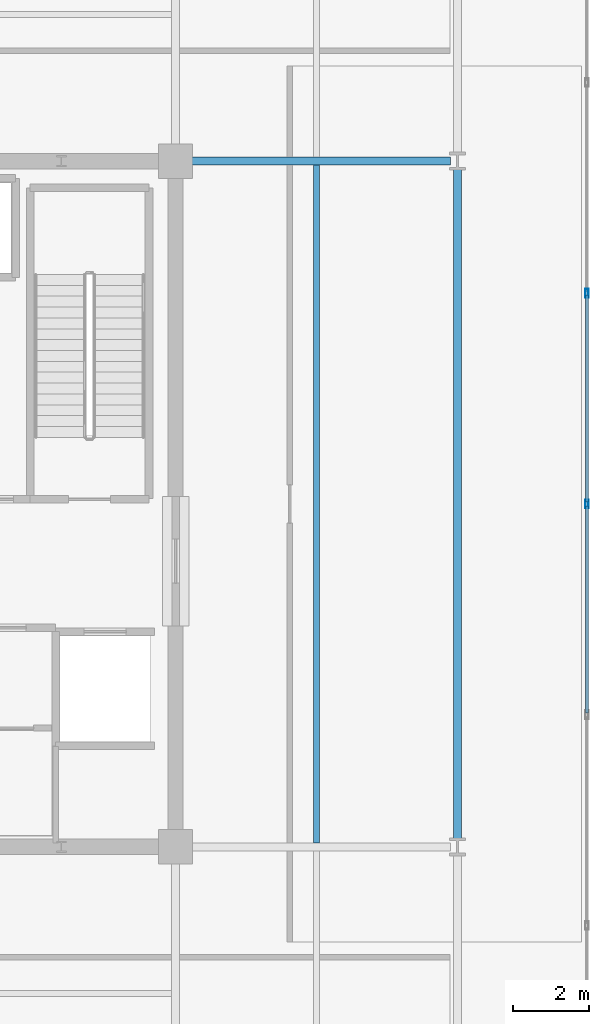
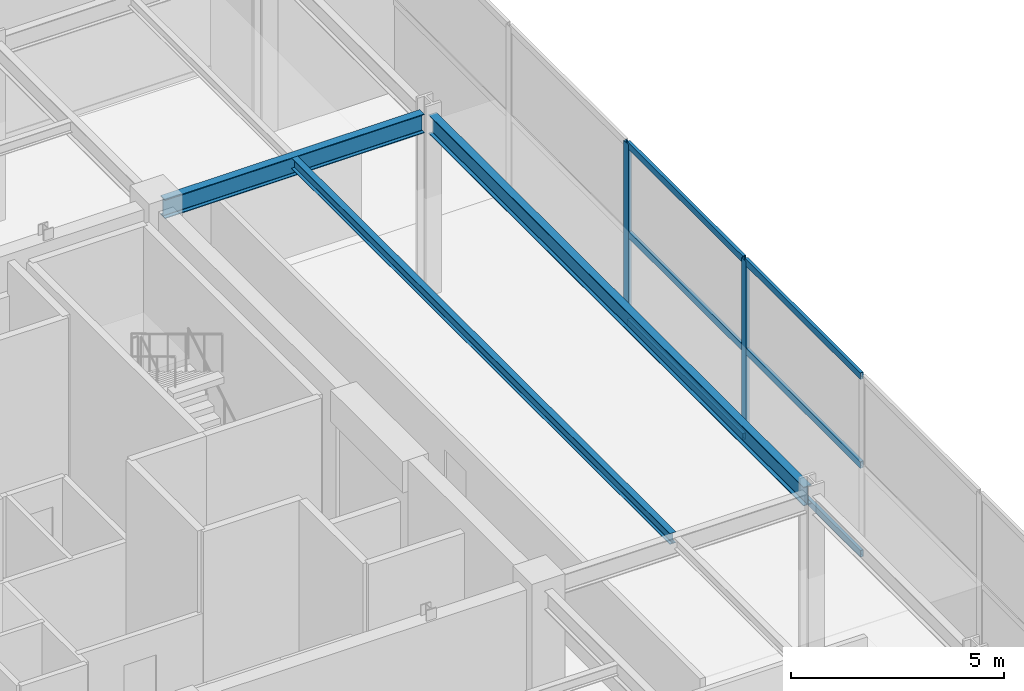
# One storey, part 11 of 24: 8 members, 3 beams, 1 element without a shape of its own.
"""IFC4 building model written with IfcOpenShell, lengths in metres."""

from ifc_helpers import new_model, si_unit, direction, frame, origin, origin_2d, place, context, subcontext, project, spatial, hollow_rectangle, i_section, extrude, material, material_profile, profile_set, type_object, element, aggregate, save


model = new_model("IFC4")

# Units and contexts
model_context = context("Model", 3, precision=1e-05, world=origin(), true_north=direction((0.0, 1.0)))
body_context = subcontext(model_context, "Body", "Model", "MODEL_VIEW")
ifc_project = project(units=[si_unit("LENGTHUNIT", "METRE"), si_unit("AREAUNIT", "SQUARE_METRE"), si_unit("VOLUMEUNIT", "CUBIC_METRE"), si_unit("PLANEANGLEUNIT", "RADIAN"), si_unit("MASSUNIT", "GRAM", prefix="KILO")], contexts=[model_context])

# Site, building, storey
site_placement = place(None, origin())
site = spatial("IfcSite", under=ifc_project, at=site_placement, CompositionType="ELEMENT")
building_placement = place(site_placement, origin())
building = spatial("IfcBuilding", under=site, at=building_placement, Name="Kovane Verandah Tower", CompositionType="ELEMENT")
storey_placement = place(building_placement, frame((0.0, 0.0, 348.800048828125)))
storey = spatial("IfcBuildingStorey", under=building, at=storey_placement, Name="L81", CompositionType="ELEMENT", Elevation=348.800048828125)

# Beams
ifc_material_1 = material(Name="Steel S355", Category="steel")
ifc_material_profile_1 = material_profile(ifc_material_1, i_section(OverallWidth=0.2119140625, OverallDepth=0.54443359375, WebThickness=0.0126953125, FlangeThickness=0.021240234375, FilletRadius=0.0126953125, at=origin_2d()), Name="UB533x210x122")
ifc_profile_set_1 = profile_set([ifc_material_profile_1], Name="Steel S355")
beam_type_1 = type_object("IfcBeamType", Name="BM-UB533x122", PredefinedType="BEAM", material=ifc_profile_set_1)
beam_1_placement = place(storey_placement, frame((58.39990234375, 18.679931640625, 4.927734375), z_axis=(0.0, 1.0, 0.0), x_axis=(-1.0, 0.0, 0.0)))
element("IfcBeam", 1, at=beam_1_placement, inside=storey, type_object=beam_type_1, Name="L81 Primary Tower Girder G-RE2", PredefinedType="BEAM", context=body_context, shape_type="SweptSolid", body=[
    extrude(i_section(OverallWidth=0.2119140625, OverallDepth=0.54443359375, WebThickness=0.0126953125, FlangeThickness=0.021240234375, FilletRadius=0.0126953125, at=origin_2d()), origin(), (0.0, 0.0, 1.0), 17.64013671875),
])
beam_2_placement = place(storey_placement, frame((51.179931640625, 36.5, 4.927734375), z_axis=(1.0, 0.0, 0.0), x_axis=(0.0, 1.0, 0.0)))
element("IfcBeam", 2, at=beam_2_placement, inside=storey, type_object=beam_type_1, Name="L81 Primary Tower Girder G-E2", PredefinedType="BEAM", context=body_context, shape_type="SweptSolid", body=[
    extrude(i_section(OverallWidth=0.2119140625, OverallDepth=0.54443359375, WebThickness=0.0126953125, FlangeThickness=0.021240234375, FilletRadius=0.0126953125, at=origin_2d()), origin(), (0.0, 0.0, 1.0), 7.0400390625),
])

# Curtain wall, members
ifc_material_2 = material(Name="Champagne Anodised Aluminium Frame with Low-E Clear Laminated Glass", Category="aluminium")
curtain_wall_type = type_object("IfcCurtainWallType", Name="CW-SYS-06-CROWN", PredefinedType="NOTDEFINED", material=ifc_material_2)
curtain_wall_placement = place(storey_placement, origin())
curtain_wall = element("IfcCurtainWall", 3, at=curtain_wall_placement, inside=storey, type_object=curtain_wall_type, Name="L81 E Unitised Curtain Wall", PredefinedType="NOTDEFINED")
ifc_material_3 = material(Name="Champagne Anodised Aluminium 6063-T6", Category="aluminium")
ifc_material_profile_2 = material_profile(ifc_material_3, hollow_rectangle(XDim=0.0849609375, YDim=0.22998046875, WallThickness=0.00390625, at=origin_2d()), Name="AL85x230x4")
ifc_profile_set_2 = profile_set([ifc_material_profile_2], Name="Champagne Anodised Aluminium 6063-T6")
member_type_1 = type_object("IfcMemberType", Name="CW-MUL-85x230", PredefinedType="MULLION", material=ifc_profile_set_2)
member_1_placement = place(storey_placement, frame((61.800048828125, 27.5, 0.02001953125), z_axis=(0.0, 0.0, 1.0), x_axis=(1.0, 0.0, 0.0)))
member_1 = element("IfcMember", 4, at=member_1_placement, type_object=member_type_1, Name="L81 E Unitised Curtain Wall Mullion 4", PredefinedType="MULLION", context=body_context, shape_type="SweptSolid", body=[
    extrude(hollow_rectangle(XDim=0.0849609375, YDim=0.22998046875, WallThickness=0.00390625, at=origin_2d()), origin(), (0.0, 0.0, 1.0), 5.159912109375),
])
member_2_placement = place(storey_placement, frame((61.800048828125, 33.033203125, 0.02001953125), z_axis=(0.0, 0.0, 1.0), x_axis=(1.0, 0.0, 0.0)))
member_2 = element("IfcMember", 5, at=member_2_placement, type_object=member_type_1, Name="L81 E Unitised Curtain Wall Mullion 5", PredefinedType="MULLION", context=body_context, shape_type="SweptSolid", body=[
    extrude(hollow_rectangle(XDim=0.0849609375, YDim=0.22998046875, WallThickness=0.00390625, at=origin_2d()), origin(), (0.0, 0.0, 1.0), 5.159912109375),
])
ifc_material_profile_3 = material_profile(ifc_material_3, hollow_rectangle(XDim=0.0849609375, YDim=0.18994140625, WallThickness=0.00390625, at=origin_2d()), Name="AL85x190x4")
ifc_profile_set_3 = profile_set([ifc_material_profile_3], Name="Champagne Anodised Aluminium 6063-T6")
member_type_2 = type_object("IfcMemberType", Name="CW-TRN-85x190", PredefinedType="USERDEFINED", material=ifc_profile_set_3)
member_3_placement = place(storey_placement, frame((61.800048828125, 22.0166015625, 0.050048828125), z_axis=(0.0, 1.0, 0.0), x_axis=(-1.0, 0.0, 0.0)))
member_3 = element("IfcMember", 6, at=member_3_placement, type_object=member_type_2, Name="L81 E Unitised Curtain Wall Transom TB Bay 3", ObjectType="TRANSOM", PredefinedType="USERDEFINED", context=body_context, shape_type="SweptSolid", body=[
    extrude(hollow_rectangle(XDim=0.0849609375, YDim=0.18994140625, WallThickness=0.00390625, at=origin_2d()), origin(), (0.0, 0.0, 1.0), 5.433349609375),
])
member_4_placement = place(storey_placement, frame((61.800048828125, 22.0166015625, 2.599853515625), z_axis=(0.0, 1.0, 0.0), x_axis=(-1.0, 0.0, 0.0)))
member_4 = element("IfcMember", 7, at=member_4_placement, type_object=member_type_2, Name="L81 E Unitised Curtain Wall Transom TM Bay 3", ObjectType="TRANSOM", PredefinedType="USERDEFINED", context=body_context, shape_type="SweptSolid", body=[
    extrude(hollow_rectangle(XDim=0.0849609375, YDim=0.18994140625, WallThickness=0.00390625, at=origin_2d()), origin(), (0.0, 0.0, 1.0), 5.433349609375),
])
member_5_placement = place(storey_placement, frame((61.800048828125, 22.0166015625, 5.14990234375), z_axis=(0.0, 1.0, 0.0), x_axis=(-1.0, 0.0, 0.0)))
member_5 = element("IfcMember", 8, at=member_5_placement, type_object=member_type_2, Name="L81 E Unitised Curtain Wall Transom TT Bay 3", ObjectType="TRANSOM", PredefinedType="USERDEFINED", context=body_context, shape_type="SweptSolid", body=[
    extrude(hollow_rectangle(XDim=0.0849609375, YDim=0.18994140625, WallThickness=0.00390625, at=origin_2d()), origin(), (0.0, 0.0, 1.0), 5.433349609375),
])
member_6_placement = place(storey_placement, frame((61.800048828125, 27.550048828125, 0.050048828125), z_axis=(0.0, 1.0, 0.0), x_axis=(-1.0, 0.0, 0.0)))
member_6 = element("IfcMember", 9, at=member_6_placement, type_object=member_type_2, Name="L81 E Unitised Curtain Wall Transom TB Bay 4", ObjectType="TRANSOM", PredefinedType="USERDEFINED", context=body_context, shape_type="SweptSolid", body=[
    extrude(hollow_rectangle(XDim=0.0849609375, YDim=0.18994140625, WallThickness=0.00390625, at=origin_2d()), origin(), (0.0, 0.0, 1.0), 5.433349609375),
])
member_7_placement = place(storey_placement, frame((61.800048828125, 27.550048828125, 2.599853515625), z_axis=(0.0, 1.0, 0.0), x_axis=(-1.0, 0.0, 0.0)))
member_7 = element("IfcMember", 10, at=member_7_placement, type_object=member_type_2, Name="L81 E Unitised Curtain Wall Transom TM Bay 4", ObjectType="TRANSOM", PredefinedType="USERDEFINED", context=body_context, shape_type="SweptSolid", body=[
    extrude(hollow_rectangle(XDim=0.0849609375, YDim=0.18994140625, WallThickness=0.00390625, at=origin_2d()), origin(), (0.0, 0.0, 1.0), 5.433349609375),
])
member_8_placement = place(storey_placement, frame((61.800048828125, 27.550048828125, 5.14990234375), z_axis=(0.0, 1.0, 0.0), x_axis=(-1.0, 0.0, 0.0)))
member_8 = element("IfcMember", 11, at=member_8_placement, type_object=member_type_2, Name="L81 E Unitised Curtain Wall Transom TT Bay 4", ObjectType="TRANSOM", PredefinedType="USERDEFINED", context=body_context, shape_type="SweptSolid", body=[
    extrude(hollow_rectangle(XDim=0.0849609375, YDim=0.18994140625, WallThickness=0.00390625, at=origin_2d()), origin(), (0.0, 0.0, 1.0), 5.433349609375),
])
aggregate(curtain_wall, [member_1, member_2, member_3, member_4, member_5, member_6, member_7, member_8])

# Beam
ifc_material_profile_4 = material_profile(ifc_material_1, i_section(OverallWidth=0.1669921875, OverallDepth=0.310302734375, WebThickness=0.0078125, FlangeThickness=0.013671875, FilletRadius=0.0087890625, at=origin_2d()), Name="UB305x165x54")
ifc_profile_set_4 = profile_set([ifc_material_profile_4], Name="Steel S355")
beam_type_2 = type_object("IfcBeamType", Name="JST-UB305x54", PredefinedType="JOIST", material=ifc_profile_set_4)
beam_3_placement = place(storey_placement, frame((54.699951171875, 18.60400390625, 5.044677734375), z_axis=(0.0, 1.0, 0.0), x_axis=(-1.0, 0.0, 0.0)))
element("IfcBeam", 12, at=beam_3_placement, inside=storey, type_object=beam_type_2, Name="L81 Secondary Composite Joist J-E1", PredefinedType="JOIST", context=body_context, shape_type="SweptSolid", body=[
    extrude(i_section(OverallWidth=0.1669921875, OverallDepth=0.310302734375, WebThickness=0.0078125, FlangeThickness=0.013671875, FilletRadius=0.0087890625, at=origin_2d()), origin(), (0.0, 0.0, 1.0), 17.7919921875),
])

save(model, "model.ifc")
